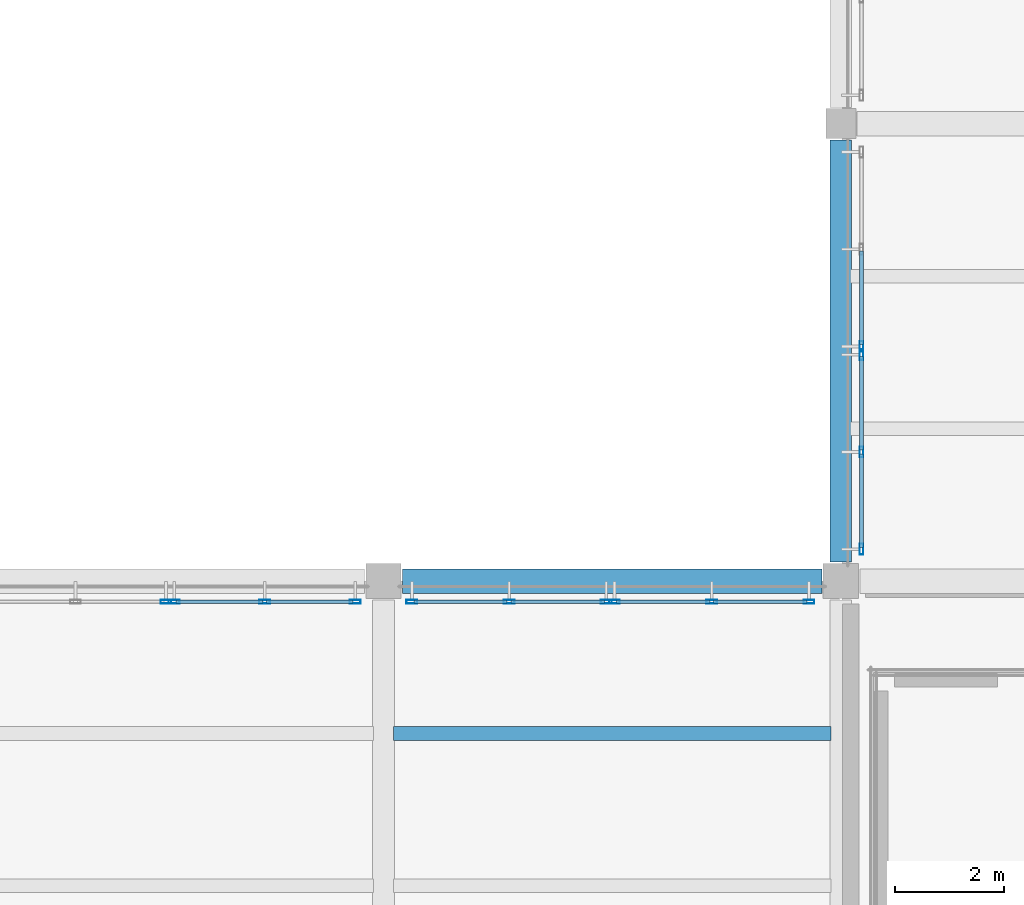
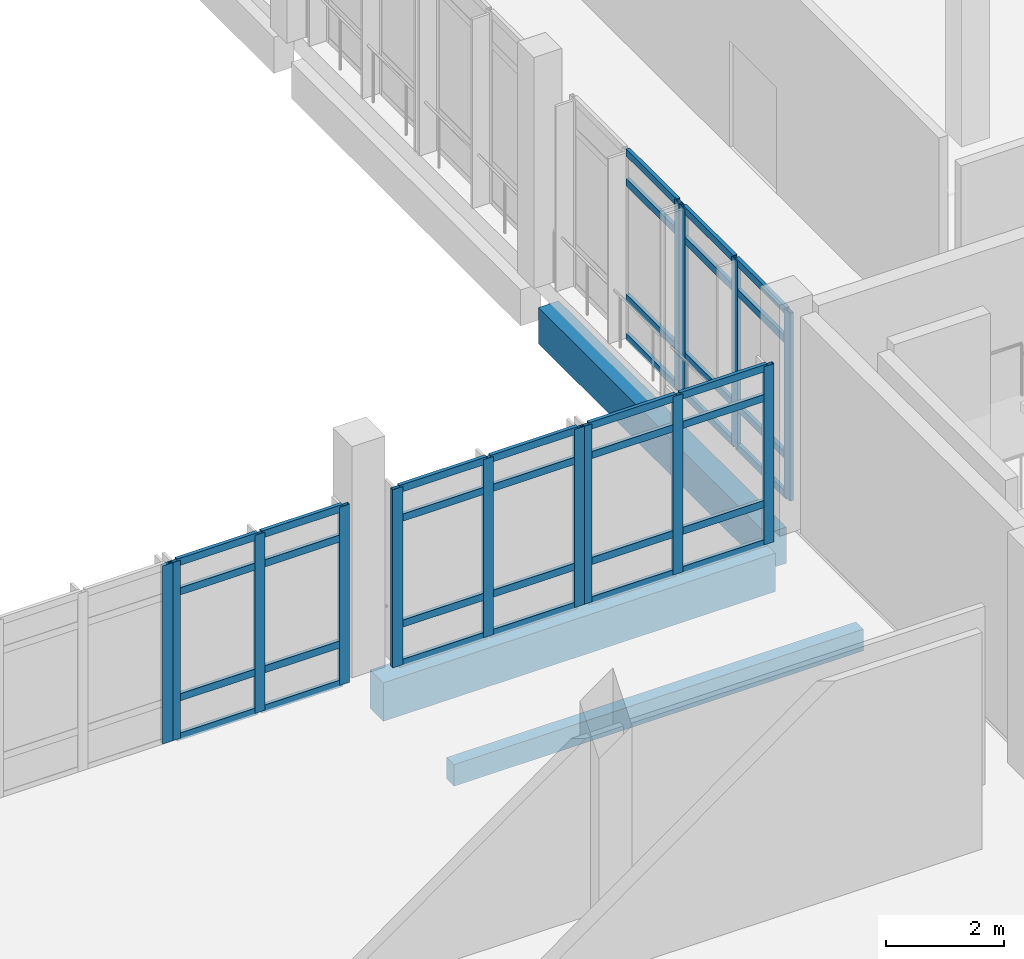
# One storey, part 10 of 63: 50 members, 3 beams, 6 elements without a shape of their own.
"""IFC4 building model written with IfcOpenShell, lengths in metres."""

from ifc_helpers import new_model, si_unit, derived_unit, direction, frame, origin, origin_2d, place, context, subcontext, project, spatial, rectangle, hollow_rectangle, extrude, material, layer, layer_set, material_profile, profile_set, type_object, element, aggregate, save


model = new_model("IFC4")

# Units and contexts
model_context = context("Model", 3, precision=1e-05, world=origin(), true_north=direction((0.0, 1.0)))
body_context = subcontext(model_context, "Body", "Model", "MODEL_VIEW")
ifc_project = project(units=[si_unit("LENGTHUNIT", "METRE"), si_unit("AREAUNIT", "SQUARE_METRE"), si_unit("VOLUMEUNIT", "CUBIC_METRE"), si_unit("PLANEANGLEUNIT", "RADIAN"), si_unit("MASSUNIT", "GRAM", prefix="KILO"), derived_unit("THERMALTRANSMITTANCEUNIT", [(si_unit("POWERUNIT", "WATT"), 1), (si_unit("LENGTHUNIT", "METRE"), -2), (si_unit("THERMODYNAMICTEMPERATUREUNIT", "KELVIN"), -1)])], contexts=[model_context])

# Site, building, storey
site_placement = place(None, origin())
site = spatial("IfcSite", under=ifc_project, at=site_placement, CompositionType="ELEMENT")
building_placement = place(site_placement, origin())
building = spatial("IfcBuilding", under=site, at=building_placement, Name="Elbkamm Science Centre", CompositionType="ELEMENT")
storey_placement = place(building_placement, frame((0.0, 0.0, 5.10009765625)))
storey = spatial("IfcBuildingStorey", under=building, at=storey_placement, Name="L01", CompositionType="ELEMENT", Elevation=5.10009765625)

# Beams
ifc_material_1 = material(Name="Concrete C40/50", Category="concrete")
ifc_material_profile_1 = material_profile(ifc_material_1, rectangle(XDim=0.39990234375, YDim=0.75, at=origin_2d()), Name="RC 400x750")
ifc_profile_set_1 = profile_set([ifc_material_profile_1], Name="Concrete C40/50")
beam_type_1 = type_object("IfcBeamType", Name="BM-RC-400x750", PredefinedType="BEAM", material=ifc_profile_set_1)
beam_1_placement = place(storey_placement, frame((126.0, 59.14990234375, -0.775146484375), z_axis=(0.0, 1.0, 0.0), x_axis=(-1.0, 0.0, 0.0)))
element("IfcBeam", 1, at=beam_1_placement, inside=storey, type_object=beam_type_1, Name="L01 Primary Y-Girder 045", PredefinedType="BEAM", context=body_context, shape_type="SweptSolid", body=[
    extrude(rectangle(XDim=0.39990234375, YDim=0.75, at=origin_2d()), origin(), (0.0, 0.0, 1.0), 7.75),
])
ifc_material_profile_2 = material_profile(ifc_material_1, rectangle(XDim=0.449951171875, YDim=0.800048828125, at=origin_2d()), Name="RC 450x800")
ifc_profile_set_2 = profile_set([ifc_material_profile_2], Name="Concrete C40/50")
beam_type_2 = type_object("IfcBeamType", Name="BM-RC-450x800", PredefinedType="BEAM", material=ifc_profile_set_2)
beam_2_placement = place(storey_placement, frame((117.949951171875, 58.800048828125, -0.800048828125), z_axis=(1.0, 0.0, 0.0), x_axis=(0.0, 1.0, 0.0)))
element("IfcBeam", 2, at=beam_2_placement, inside=storey, type_object=beam_type_2, Name="L01 Primary X-Girder 063", PredefinedType="BEAM", context=body_context, shape_type="SweptSolid", body=[
    extrude(rectangle(XDim=0.449951171875, YDim=0.800048828125, at=origin_2d()), origin(), (0.0, 0.0, 1.0), 7.699951171875),
])

# Curtain wall, member
ifc_material_2 = material(Name="Powder-coated aluminium and triple low-E glazing", Category="aluminium")
ifc_layer_1 = layer(ifc_material_2, 0.159912109375)
ifc_layer_set_1 = layer_set([ifc_layer_1], Name="Powder-coated aluminium and triple low-E glazing")
curtain_wall_type_1 = type_object("IfcCurtainWallType", Name="CW-UNIT-3400x3700", PredefinedType="USERDEFINED", material=ifc_layer_set_1)
curtain_wall_1_placement = place(storey_placement, origin())
curtain_wall_1 = element("IfcCurtainWall", 3, at=curtain_wall_1_placement, inside=storey, type_object=curtain_wall_type_1, Name="L01 Unitised Curtain Wall 151", ObjectType="UNITISED CURTAIN WALL", PredefinedType="USERDEFINED")
ifc_material_3 = material(Name="Powder-coated aluminium EN AW-6060", Category="aluminium")
ifc_material_profile_3 = material_profile(ifc_material_3, hollow_rectangle(XDim=0.070068359375, YDim=0.199951171875, WallThickness=0.00439453125, at=origin_2d()), Name="ALU M70x200")
ifc_profile_set_3 = profile_set([ifc_material_profile_3], Name="Powder-coated aluminium EN AW-6060")
member_type_1 = type_object("IfcMemberType", Name="CW-MUL-70x200", PredefinedType="MULLION", material=ifc_profile_set_3)
member_1_placement = place(storey_placement, frame((113.605224609375, 58.419921875, 0.0), z_axis=(0.0, 0.0, 1.0), x_axis=(0.0, 1.0, 0.0)))
member_1 = element("IfcMember", 4, at=member_1_placement, type_object=member_type_1, Name="CW-072 mullion 3", PredefinedType="MULLION", context=body_context, shape_type="SweptSolid", body=[
    extrude(hollow_rectangle(XDim=0.070068359375, YDim=0.199951171875, WallThickness=0.00439453125, at=origin_2d()), origin(), (0.0, 0.0, 1.0), 3.699951171875),
])
aggregate(curtain_wall_1, [member_1])

# Curtain wall, members
curtain_wall_2_placement = place(storey_placement, origin())
curtain_wall_2 = element("IfcCurtainWall", 5, at=curtain_wall_2_placement, inside=storey, type_object=curtain_wall_type_1, Name="L01 Unitised Curtain Wall 152", ObjectType="UNITISED CURTAIN WALL", PredefinedType="USERDEFINED")
member_2_placement = place(storey_placement, frame((113.75537109375, 58.419921875, 0.0), z_axis=(0.0, 0.0, 1.0), x_axis=(0.0, 1.0, 0.0)))
member_2 = element("IfcMember", 6, at=member_2_placement, type_object=member_type_1, Name="CW-072 mullion 1", PredefinedType="MULLION", context=body_context, shape_type="SweptSolid", body=[
    extrude(hollow_rectangle(XDim=0.070068359375, YDim=0.199951171875, WallThickness=0.00439453125, at=origin_2d()), origin(), (0.0, 0.0, 1.0), 3.699951171875),
])
member_3_placement = place(storey_placement, frame((115.4169921875, 58.419921875, 0.0), z_axis=(0.0, 0.0, 1.0), x_axis=(0.0, 1.0, 0.0)))
member_3 = element("IfcMember", 7, at=member_3_placement, type_object=member_type_1, Name="CW-072 mullion 2", PredefinedType="MULLION", context=body_context, shape_type="SweptSolid", body=[
    extrude(hollow_rectangle(XDim=0.070068359375, YDim=0.199951171875, WallThickness=0.00439453125, at=origin_2d()), origin(), (0.0, 0.0, 1.0), 3.699951171875),
])
member_4_placement = place(storey_placement, frame((117.07861328125, 58.419921875, 0.0), z_axis=(0.0, 0.0, 1.0), x_axis=(0.0, 1.0, 0.0)))
member_4 = element("IfcMember", 8, at=member_4_placement, type_object=member_type_1, Name="CW-072 mullion 3", PredefinedType="MULLION", context=body_context, shape_type="SweptSolid", body=[
    extrude(hollow_rectangle(XDim=0.070068359375, YDim=0.199951171875, WallThickness=0.00439453125, at=origin_2d()), origin(), (0.0, 0.0, 1.0), 3.699951171875),
])

ifc_layer_2 = layer(ifc_material_2, 0.159912109375)
ifc_layer_set_2 = layer_set([ifc_layer_2], Name="Powder-coated aluminium and triple low-E glazing")
curtain_wall_type_2 = type_object("IfcCurtainWallType", Name="CW-UNIT-3640x3700", PredefinedType="USERDEFINED", material=ifc_layer_set_2)
curtain_wall_3_placement = place(storey_placement, origin())
curtain_wall_3 = element("IfcCurtainWall", 9, at=curtain_wall_3_placement, inside=storey, type_object=curtain_wall_type_2, Name="L01 Unitised Curtain Wall 153", ObjectType="UNITISED CURTAIN WALL", PredefinedType="USERDEFINED")
member_5_placement = place(storey_placement, frame((118.121337890625, 58.419921875, 0.0), z_axis=(0.0, 0.0, 1.0), x_axis=(0.0, 1.0, 0.0)))
member_5 = element("IfcMember", 10, at=member_5_placement, type_object=member_type_1, Name="CW-073 mullion 1", PredefinedType="MULLION", context=body_context, shape_type="SweptSolid", body=[
    extrude(hollow_rectangle(XDim=0.070068359375, YDim=0.199951171875, WallThickness=0.00439453125, at=origin_2d()), origin(), (0.0, 0.0, 1.0), 3.699951171875),
])
member_6_placement = place(storey_placement, frame((119.9072265625, 58.419921875, 0.0), z_axis=(0.0, 0.0, 1.0), x_axis=(0.0, 1.0, 0.0)))
member_6 = element("IfcMember", 11, at=member_6_placement, type_object=member_type_1, Name="CW-073 mullion 2", PredefinedType="MULLION", context=body_context, shape_type="SweptSolid", body=[
    extrude(hollow_rectangle(XDim=0.070068359375, YDim=0.199951171875, WallThickness=0.00439453125, at=origin_2d()), origin(), (0.0, 0.0, 1.0), 3.699951171875),
])
member_7_placement = place(storey_placement, frame((121.693115234375, 58.419921875, 0.0), z_axis=(0.0, 0.0, 1.0), x_axis=(0.0, 1.0, 0.0)))
member_7 = element("IfcMember", 12, at=member_7_placement, type_object=member_type_1, Name="CW-073 mullion 3", PredefinedType="MULLION", context=body_context, shape_type="SweptSolid", body=[
    extrude(hollow_rectangle(XDim=0.070068359375, YDim=0.199951171875, WallThickness=0.00439453125, at=origin_2d()), origin(), (0.0, 0.0, 1.0), 3.699951171875),
])

curtain_wall_4_placement = place(storey_placement, origin())
curtain_wall_4 = element("IfcCurtainWall", 13, at=curtain_wall_4_placement, inside=storey, type_object=curtain_wall_type_2, Name="L01 Unitised Curtain Wall 154", ObjectType="UNITISED CURTAIN WALL", PredefinedType="USERDEFINED")
member_8_placement = place(storey_placement, frame((121.843017578125, 58.419921875, 0.0), z_axis=(0.0, 0.0, 1.0), x_axis=(0.0, 1.0, 0.0)))
member_8 = element("IfcMember", 14, at=member_8_placement, type_object=member_type_1, Name="CW-073 mullion 1", PredefinedType="MULLION", context=body_context, shape_type="SweptSolid", body=[
    extrude(hollow_rectangle(XDim=0.070068359375, YDim=0.199951171875, WallThickness=0.00439453125, at=origin_2d()), origin(), (0.0, 0.0, 1.0), 3.699951171875),
])
member_9_placement = place(storey_placement, frame((123.629150390625, 58.419921875, 0.0), z_axis=(0.0, 0.0, 1.0), x_axis=(0.0, 1.0, 0.0)))
member_9 = element("IfcMember", 15, at=member_9_placement, type_object=member_type_1, Name="CW-073 mullion 2", PredefinedType="MULLION", context=body_context, shape_type="SweptSolid", body=[
    extrude(hollow_rectangle(XDim=0.070068359375, YDim=0.199951171875, WallThickness=0.00439453125, at=origin_2d()), origin(), (0.0, 0.0, 1.0), 3.699951171875),
])
member_10_placement = place(storey_placement, frame((125.4150390625, 58.419921875, 0.0), z_axis=(0.0, 0.0, 1.0), x_axis=(0.0, 1.0, 0.0)))
member_10 = element("IfcMember", 16, at=member_10_placement, type_object=member_type_1, Name="CW-073 mullion 3", PredefinedType="MULLION", context=body_context, shape_type="SweptSolid", body=[
    extrude(hollow_rectangle(XDim=0.070068359375, YDim=0.199951171875, WallThickness=0.00439453125, at=origin_2d()), origin(), (0.0, 0.0, 1.0), 3.699951171875),
])

ifc_layer_3 = layer(ifc_material_2, 0.159912109375)
ifc_layer_set_3 = layer_set([ifc_layer_3], Name="Powder-coated aluminium and triple low-E glazing")
curtain_wall_type_3 = type_object("IfcCurtainWallType", Name="CW-UNIT-3640x3900", PredefinedType="USERDEFINED", material=ifc_layer_set_3)
curtain_wall_5_placement = place(storey_placement, origin())
curtain_wall_5 = element("IfcCurtainWall", 17, at=curtain_wall_5_placement, inside=storey, type_object=curtain_wall_type_3, Name="L01 Unitised Curtain Wall 155", ObjectType="UNITISED CURTAIN WALL", PredefinedType="USERDEFINED")
member_11_placement = place(storey_placement, frame((126.3798828125, 59.385009765625, 0.0), z_axis=(0.0, 0.0, 1.0), x_axis=(-1.0, 0.0, 0.0)))
member_11 = element("IfcMember", 18, at=member_11_placement, type_object=member_type_1, Name="CW-065 mullion 1", PredefinedType="MULLION", context=body_context, shape_type="SweptSolid", body=[
    extrude(hollow_rectangle(XDim=0.070068359375, YDim=0.199951171875, WallThickness=0.00439453125, at=origin_2d()), origin(), (0.0, 0.0, 1.0), 3.89990234375),
])
member_12_placement = place(storey_placement, frame((126.3798828125, 61.1708984375, 0.0), z_axis=(0.0, 0.0, 1.0), x_axis=(-1.0, 0.0, 0.0)))
member_12 = element("IfcMember", 19, at=member_12_placement, type_object=member_type_1, Name="CW-065 mullion 2", PredefinedType="MULLION", context=body_context, shape_type="SweptSolid", body=[
    extrude(hollow_rectangle(XDim=0.070068359375, YDim=0.199951171875, WallThickness=0.00439453125, at=origin_2d()), origin(), (0.0, 0.0, 1.0), 3.89990234375),
])
member_13_placement = place(storey_placement, frame((126.3798828125, 62.956787109375, 0.0), z_axis=(0.0, 0.0, 1.0), x_axis=(-1.0, 0.0, 0.0)))
member_13 = element("IfcMember", 20, at=member_13_placement, type_object=member_type_1, Name="CW-065 mullion 3", PredefinedType="MULLION", context=body_context, shape_type="SweptSolid", body=[
    extrude(hollow_rectangle(XDim=0.070068359375, YDim=0.199951171875, WallThickness=0.00439453125, at=origin_2d()), origin(), (0.0, 0.0, 1.0), 3.89990234375),
])

# Curtain wall, member
curtain_wall_6_placement = place(storey_placement, origin())
curtain_wall_6 = element("IfcCurtainWall", 21, at=curtain_wall_6_placement, inside=storey, type_object=curtain_wall_type_3, Name="L01 Unitised Curtain Wall 156", ObjectType="UNITISED CURTAIN WALL", PredefinedType="USERDEFINED")
member_14_placement = place(storey_placement, frame((126.3798828125, 63.10693359375, 0.0), z_axis=(0.0, 0.0, 1.0), x_axis=(-1.0, 0.0, 0.0)))
member_14 = element("IfcMember", 22, at=member_14_placement, type_object=member_type_1, Name="CW-065 mullion 1", PredefinedType="MULLION", context=body_context, shape_type="SweptSolid", body=[
    extrude(hollow_rectangle(XDim=0.070068359375, YDim=0.199951171875, WallThickness=0.00439453125, at=origin_2d()), origin(), (0.0, 0.0, 1.0), 3.89990234375),
])

# Member
ifc_material_profile_4 = material_profile(ifc_material_3, hollow_rectangle(XDim=0.070068359375, YDim=0.14990234375, WallThickness=0.00390625, at=origin_2d()), Name="ALU T70x150")
ifc_profile_set_4 = profile_set([ifc_material_profile_4], Name="Powder-coated aluminium EN AW-6060")
member_type_2 = type_object("IfcMemberType", Name="CW-TRN-70x150", PredefinedType="USERDEFINED", material=ifc_profile_set_4)
member_15_placement = place(storey_placement, frame((113.790283203125, 58.419921875, 0.034912109375), z_axis=(1.0, 0.0, 0.0), x_axis=(0.0, 1.0, 0.0)))
member_15 = element("IfcMember", 23, at=member_15_placement, type_object=member_type_2, Name="CW-072 transom 1.1", ObjectType="TRANSOM", PredefinedType="USERDEFINED", context=body_context, shape_type="SweptSolid", body=[
    extrude(hollow_rectangle(XDim=0.070068359375, YDim=0.14990234375, WallThickness=0.00390625, at=origin_2d()), origin(), (0.0, 0.0, 1.0), 1.591796875),
])

member_16_placement = place(storey_placement, frame((113.790283203125, 58.419921875, 0.849853515625), z_axis=(1.0, 0.0, 0.0), x_axis=(0.0, 1.0, 0.0)))
member_16 = element("IfcMember", 24, at=member_16_placement, type_object=member_type_2, Name="CW-072 transom 1.2", ObjectType="TRANSOM", PredefinedType="USERDEFINED", context=body_context, shape_type="SweptSolid", body=[
    extrude(hollow_rectangle(XDim=0.070068359375, YDim=0.14990234375, WallThickness=0.00390625, at=origin_2d()), origin(), (0.0, 0.0, 1.0), 1.591796875),
])

member_17_placement = place(storey_placement, frame((113.790283203125, 58.419921875, 3.0498046875), z_axis=(1.0, 0.0, 0.0), x_axis=(0.0, 1.0, 0.0)))
member_17 = element("IfcMember", 25, at=member_17_placement, type_object=member_type_2, Name="CW-072 transom 1.3", ObjectType="TRANSOM", PredefinedType="USERDEFINED", context=body_context, shape_type="SweptSolid", body=[
    extrude(hollow_rectangle(XDim=0.070068359375, YDim=0.14990234375, WallThickness=0.00390625, at=origin_2d()), origin(), (0.0, 0.0, 1.0), 1.591796875),
])

member_18_placement = place(storey_placement, frame((113.790283203125, 58.419921875, 3.664794921875), z_axis=(1.0, 0.0, 0.0), x_axis=(0.0, 1.0, 0.0)))
member_18 = element("IfcMember", 26, at=member_18_placement, type_object=member_type_2, Name="CW-072 transom 1.4", ObjectType="TRANSOM", PredefinedType="USERDEFINED", context=body_context, shape_type="SweptSolid", body=[
    extrude(hollow_rectangle(XDim=0.070068359375, YDim=0.14990234375, WallThickness=0.00390625, at=origin_2d()), origin(), (0.0, 0.0, 1.0), 1.591796875),
])

member_19_placement = place(storey_placement, frame((115.4521484375, 58.419921875, 0.034912109375), z_axis=(1.0, 0.0, 0.0), x_axis=(0.0, 1.0, 0.0)))
member_19 = element("IfcMember", 27, at=member_19_placement, type_object=member_type_2, Name="CW-072 transom 2.1", ObjectType="TRANSOM", PredefinedType="USERDEFINED", context=body_context, shape_type="SweptSolid", body=[
    extrude(hollow_rectangle(XDim=0.070068359375, YDim=0.14990234375, WallThickness=0.00390625, at=origin_2d()), origin(), (0.0, 0.0, 1.0), 1.591552734375),
])

member_20_placement = place(storey_placement, frame((115.4521484375, 58.419921875, 0.849853515625), z_axis=(1.0, 0.0, 0.0), x_axis=(0.0, 1.0, 0.0)))
member_20 = element("IfcMember", 28, at=member_20_placement, type_object=member_type_2, Name="CW-072 transom 2.2", ObjectType="TRANSOM", PredefinedType="USERDEFINED", context=body_context, shape_type="SweptSolid", body=[
    extrude(hollow_rectangle(XDim=0.070068359375, YDim=0.14990234375, WallThickness=0.00390625, at=origin_2d()), origin(), (0.0, 0.0, 1.0), 1.591552734375),
])

member_21_placement = place(storey_placement, frame((115.4521484375, 58.419921875, 3.0498046875), z_axis=(1.0, 0.0, 0.0), x_axis=(0.0, 1.0, 0.0)))
member_21 = element("IfcMember", 29, at=member_21_placement, type_object=member_type_2, Name="CW-072 transom 2.3", ObjectType="TRANSOM", PredefinedType="USERDEFINED", context=body_context, shape_type="SweptSolid", body=[
    extrude(hollow_rectangle(XDim=0.070068359375, YDim=0.14990234375, WallThickness=0.00390625, at=origin_2d()), origin(), (0.0, 0.0, 1.0), 1.591552734375),
])

member_22_placement = place(storey_placement, frame((115.4521484375, 58.419921875, 3.664794921875), z_axis=(1.0, 0.0, 0.0), x_axis=(0.0, 1.0, 0.0)))
member_22 = element("IfcMember", 30, at=member_22_placement, type_object=member_type_2, Name="CW-072 transom 2.4", ObjectType="TRANSOM", PredefinedType="USERDEFINED", context=body_context, shape_type="SweptSolid", body=[
    extrude(hollow_rectangle(XDim=0.070068359375, YDim=0.14990234375, WallThickness=0.00390625, at=origin_2d()), origin(), (0.0, 0.0, 1.0), 1.591552734375),
])

aggregate(curtain_wall_2, [member_2, member_3, member_4, member_15, member_16, member_17, member_18, member_19, member_20, member_21, member_22])

member_23_placement = place(storey_placement, frame((118.15625, 58.419921875, 0.034912109375), z_axis=(1.0, 0.0, 0.0), x_axis=(0.0, 1.0, 0.0)))
member_23 = element("IfcMember", 31, at=member_23_placement, type_object=member_type_2, Name="CW-073 transom 1.1", ObjectType="TRANSOM", PredefinedType="USERDEFINED", context=body_context, shape_type="SweptSolid", body=[
    extrude(hollow_rectangle(XDim=0.070068359375, YDim=0.14990234375, WallThickness=0.00390625, at=origin_2d()), origin(), (0.0, 0.0, 1.0), 1.716064453125),
])

member_24_placement = place(storey_placement, frame((118.15625, 58.419921875, 0.849853515625), z_axis=(1.0, 0.0, 0.0), x_axis=(0.0, 1.0, 0.0)))
member_24 = element("IfcMember", 32, at=member_24_placement, type_object=member_type_2, Name="CW-073 transom 1.2", ObjectType="TRANSOM", PredefinedType="USERDEFINED", context=body_context, shape_type="SweptSolid", body=[
    extrude(hollow_rectangle(XDim=0.070068359375, YDim=0.14990234375, WallThickness=0.00390625, at=origin_2d()), origin(), (0.0, 0.0, 1.0), 1.716064453125),
])

member_25_placement = place(storey_placement, frame((118.15625, 58.419921875, 3.0498046875), z_axis=(1.0, 0.0, 0.0), x_axis=(0.0, 1.0, 0.0)))
member_25 = element("IfcMember", 33, at=member_25_placement, type_object=member_type_2, Name="CW-073 transom 1.3", ObjectType="TRANSOM", PredefinedType="USERDEFINED", context=body_context, shape_type="SweptSolid", body=[
    extrude(hollow_rectangle(XDim=0.070068359375, YDim=0.14990234375, WallThickness=0.00390625, at=origin_2d()), origin(), (0.0, 0.0, 1.0), 1.716064453125),
])

member_26_placement = place(storey_placement, frame((118.15625, 58.419921875, 3.664794921875), z_axis=(1.0, 0.0, 0.0), x_axis=(0.0, 1.0, 0.0)))
member_26 = element("IfcMember", 34, at=member_26_placement, type_object=member_type_2, Name="CW-073 transom 1.4", ObjectType="TRANSOM", PredefinedType="USERDEFINED", context=body_context, shape_type="SweptSolid", body=[
    extrude(hollow_rectangle(XDim=0.070068359375, YDim=0.14990234375, WallThickness=0.00390625, at=origin_2d()), origin(), (0.0, 0.0, 1.0), 1.716064453125),
])

member_27_placement = place(storey_placement, frame((119.942138671875, 58.419921875, 0.034912109375), z_axis=(1.0, 0.0, 0.0), x_axis=(0.0, 1.0, 0.0)))
member_27 = element("IfcMember", 35, at=member_27_placement, type_object=member_type_2, Name="CW-073 transom 2.1", ObjectType="TRANSOM", PredefinedType="USERDEFINED", context=body_context, shape_type="SweptSolid", body=[
    extrude(hollow_rectangle(XDim=0.070068359375, YDim=0.14990234375, WallThickness=0.00390625, at=origin_2d()), origin(), (0.0, 0.0, 1.0), 1.716064453125),
])

member_28_placement = place(storey_placement, frame((119.942138671875, 58.419921875, 0.849853515625), z_axis=(1.0, 0.0, 0.0), x_axis=(0.0, 1.0, 0.0)))
member_28 = element("IfcMember", 36, at=member_28_placement, type_object=member_type_2, Name="CW-073 transom 2.2", ObjectType="TRANSOM", PredefinedType="USERDEFINED", context=body_context, shape_type="SweptSolid", body=[
    extrude(hollow_rectangle(XDim=0.070068359375, YDim=0.14990234375, WallThickness=0.00390625, at=origin_2d()), origin(), (0.0, 0.0, 1.0), 1.716064453125),
])

member_29_placement = place(storey_placement, frame((119.942138671875, 58.419921875, 3.0498046875), z_axis=(1.0, 0.0, 0.0), x_axis=(0.0, 1.0, 0.0)))
member_29 = element("IfcMember", 37, at=member_29_placement, type_object=member_type_2, Name="CW-073 transom 2.3", ObjectType="TRANSOM", PredefinedType="USERDEFINED", context=body_context, shape_type="SweptSolid", body=[
    extrude(hollow_rectangle(XDim=0.070068359375, YDim=0.14990234375, WallThickness=0.00390625, at=origin_2d()), origin(), (0.0, 0.0, 1.0), 1.716064453125),
])

member_30_placement = place(storey_placement, frame((119.942138671875, 58.419921875, 3.664794921875), z_axis=(1.0, 0.0, 0.0), x_axis=(0.0, 1.0, 0.0)))
member_30 = element("IfcMember", 38, at=member_30_placement, type_object=member_type_2, Name="CW-073 transom 2.4", ObjectType="TRANSOM", PredefinedType="USERDEFINED", context=body_context, shape_type="SweptSolid", body=[
    extrude(hollow_rectangle(XDim=0.070068359375, YDim=0.14990234375, WallThickness=0.00390625, at=origin_2d()), origin(), (0.0, 0.0, 1.0), 1.716064453125),
])

aggregate(curtain_wall_3, [member_5, member_6, member_7, member_23, member_24, member_25, member_26, member_27, member_28, member_29, member_30])

member_31_placement = place(storey_placement, frame((121.878173828125, 58.419921875, 0.034912109375), z_axis=(1.0, 0.0, 0.0), x_axis=(0.0, 1.0, 0.0)))
member_31 = element("IfcMember", 39, at=member_31_placement, type_object=member_type_2, Name="CW-073 transom 1.1", ObjectType="TRANSOM", PredefinedType="USERDEFINED", context=body_context, shape_type="SweptSolid", body=[
    extrude(hollow_rectangle(XDim=0.070068359375, YDim=0.14990234375, WallThickness=0.00390625, at=origin_2d()), origin(), (0.0, 0.0, 1.0), 1.7158203125),
])

member_32_placement = place(storey_placement, frame((121.878173828125, 58.419921875, 0.849853515625), z_axis=(1.0, 0.0, 0.0), x_axis=(0.0, 1.0, 0.0)))
member_32 = element("IfcMember", 40, at=member_32_placement, type_object=member_type_2, Name="CW-073 transom 1.2", ObjectType="TRANSOM", PredefinedType="USERDEFINED", context=body_context, shape_type="SweptSolid", body=[
    extrude(hollow_rectangle(XDim=0.070068359375, YDim=0.14990234375, WallThickness=0.00390625, at=origin_2d()), origin(), (0.0, 0.0, 1.0), 1.7158203125),
])

member_33_placement = place(storey_placement, frame((121.878173828125, 58.419921875, 3.0498046875), z_axis=(1.0, 0.0, 0.0), x_axis=(0.0, 1.0, 0.0)))
member_33 = element("IfcMember", 41, at=member_33_placement, type_object=member_type_2, Name="CW-073 transom 1.3", ObjectType="TRANSOM", PredefinedType="USERDEFINED", context=body_context, shape_type="SweptSolid", body=[
    extrude(hollow_rectangle(XDim=0.070068359375, YDim=0.14990234375, WallThickness=0.00390625, at=origin_2d()), origin(), (0.0, 0.0, 1.0), 1.7158203125),
])

member_34_placement = place(storey_placement, frame((121.878173828125, 58.419921875, 3.664794921875), z_axis=(1.0, 0.0, 0.0), x_axis=(0.0, 1.0, 0.0)))
member_34 = element("IfcMember", 42, at=member_34_placement, type_object=member_type_2, Name="CW-073 transom 1.4", ObjectType="TRANSOM", PredefinedType="USERDEFINED", context=body_context, shape_type="SweptSolid", body=[
    extrude(hollow_rectangle(XDim=0.070068359375, YDim=0.14990234375, WallThickness=0.00390625, at=origin_2d()), origin(), (0.0, 0.0, 1.0), 1.7158203125),
])

member_35_placement = place(storey_placement, frame((123.6640625, 58.419921875, 0.034912109375), z_axis=(1.0, 0.0, 0.0), x_axis=(0.0, 1.0, 0.0)))
member_35 = element("IfcMember", 43, at=member_35_placement, type_object=member_type_2, Name="CW-073 transom 2.1", ObjectType="TRANSOM", PredefinedType="USERDEFINED", context=body_context, shape_type="SweptSolid", body=[
    extrude(hollow_rectangle(XDim=0.070068359375, YDim=0.14990234375, WallThickness=0.00390625, at=origin_2d()), origin(), (0.0, 0.0, 1.0), 1.7158203125),
])

member_36_placement = place(storey_placement, frame((123.6640625, 58.419921875, 0.849853515625), z_axis=(1.0, 0.0, 0.0), x_axis=(0.0, 1.0, 0.0)))
member_36 = element("IfcMember", 44, at=member_36_placement, type_object=member_type_2, Name="CW-073 transom 2.2", ObjectType="TRANSOM", PredefinedType="USERDEFINED", context=body_context, shape_type="SweptSolid", body=[
    extrude(hollow_rectangle(XDim=0.070068359375, YDim=0.14990234375, WallThickness=0.00390625, at=origin_2d()), origin(), (0.0, 0.0, 1.0), 1.7158203125),
])

member_37_placement = place(storey_placement, frame((123.6640625, 58.419921875, 3.0498046875), z_axis=(1.0, 0.0, 0.0), x_axis=(0.0, 1.0, 0.0)))
member_37 = element("IfcMember", 45, at=member_37_placement, type_object=member_type_2, Name="CW-073 transom 2.3", ObjectType="TRANSOM", PredefinedType="USERDEFINED", context=body_context, shape_type="SweptSolid", body=[
    extrude(hollow_rectangle(XDim=0.070068359375, YDim=0.14990234375, WallThickness=0.00390625, at=origin_2d()), origin(), (0.0, 0.0, 1.0), 1.7158203125),
])

member_38_placement = place(storey_placement, frame((123.6640625, 58.419921875, 3.664794921875), z_axis=(1.0, 0.0, 0.0), x_axis=(0.0, 1.0, 0.0)))
member_38 = element("IfcMember", 46, at=member_38_placement, type_object=member_type_2, Name="CW-073 transom 2.4", ObjectType="TRANSOM", PredefinedType="USERDEFINED", context=body_context, shape_type="SweptSolid", body=[
    extrude(hollow_rectangle(XDim=0.070068359375, YDim=0.14990234375, WallThickness=0.00390625, at=origin_2d()), origin(), (0.0, 0.0, 1.0), 1.7158203125),
])

aggregate(curtain_wall_4, [member_8, member_9, member_10, member_31, member_32, member_33, member_34, member_35, member_36, member_37, member_38])

member_39_placement = place(storey_placement, frame((126.3798828125, 59.419921875, 0.034912109375), z_axis=(0.0, 1.0, 0.0), x_axis=(-1.0, 0.0, 0.0)))
member_39 = element("IfcMember", 47, at=member_39_placement, type_object=member_type_2, Name="CW-065 transom 1.1", ObjectType="TRANSOM", PredefinedType="USERDEFINED", context=body_context, shape_type="SweptSolid", body=[
    extrude(hollow_rectangle(XDim=0.070068359375, YDim=0.14990234375, WallThickness=0.00390625, at=origin_2d()), origin(), (0.0, 0.0, 1.0), 1.716064453125),
])

member_40_placement = place(storey_placement, frame((126.3798828125, 59.419921875, 0.849853515625), z_axis=(0.0, 1.0, 0.0), x_axis=(-1.0, 0.0, 0.0)))
member_40 = element("IfcMember", 48, at=member_40_placement, type_object=member_type_2, Name="CW-065 transom 1.2", ObjectType="TRANSOM", PredefinedType="USERDEFINED", context=body_context, shape_type="SweptSolid", body=[
    extrude(hollow_rectangle(XDim=0.070068359375, YDim=0.14990234375, WallThickness=0.00390625, at=origin_2d()), origin(), (0.0, 0.0, 1.0), 1.716064453125),
])

member_41_placement = place(storey_placement, frame((126.3798828125, 59.419921875, 3.25), z_axis=(0.0, 1.0, 0.0), x_axis=(-1.0, 0.0, 0.0)))
member_41 = element("IfcMember", 49, at=member_41_placement, type_object=member_type_2, Name="CW-065 transom 1.3", ObjectType="TRANSOM", PredefinedType="USERDEFINED", context=body_context, shape_type="SweptSolid", body=[
    extrude(hollow_rectangle(XDim=0.070068359375, YDim=0.14990234375, WallThickness=0.00390625, at=origin_2d()), origin(), (0.0, 0.0, 1.0), 1.716064453125),
])

member_42_placement = place(storey_placement, frame((126.3798828125, 59.419921875, 3.864990234375), z_axis=(0.0, 1.0, 0.0), x_axis=(-1.0, 0.0, 0.0)))
member_42 = element("IfcMember", 50, at=member_42_placement, type_object=member_type_2, Name="CW-065 transom 1.4", ObjectType="TRANSOM", PredefinedType="USERDEFINED", context=body_context, shape_type="SweptSolid", body=[
    extrude(hollow_rectangle(XDim=0.070068359375, YDim=0.14990234375, WallThickness=0.00390625, at=origin_2d()), origin(), (0.0, 0.0, 1.0), 1.716064453125),
])

member_43_placement = place(storey_placement, frame((126.3798828125, 61.2060546875, 0.034912109375), z_axis=(0.0, 1.0, 0.0), x_axis=(-1.0, 0.0, 0.0)))
member_43 = element("IfcMember", 51, at=member_43_placement, type_object=member_type_2, Name="CW-065 transom 2.1", ObjectType="TRANSOM", PredefinedType="USERDEFINED", context=body_context, shape_type="SweptSolid", body=[
    extrude(hollow_rectangle(XDim=0.070068359375, YDim=0.14990234375, WallThickness=0.00390625, at=origin_2d()), origin(), (0.0, 0.0, 1.0), 1.7158203125),
])

member_44_placement = place(storey_placement, frame((126.3798828125, 61.2060546875, 0.849853515625), z_axis=(0.0, 1.0, 0.0), x_axis=(-1.0, 0.0, 0.0)))
member_44 = element("IfcMember", 52, at=member_44_placement, type_object=member_type_2, Name="CW-065 transom 2.2", ObjectType="TRANSOM", PredefinedType="USERDEFINED", context=body_context, shape_type="SweptSolid", body=[
    extrude(hollow_rectangle(XDim=0.070068359375, YDim=0.14990234375, WallThickness=0.00390625, at=origin_2d()), origin(), (0.0, 0.0, 1.0), 1.7158203125),
])

member_45_placement = place(storey_placement, frame((126.3798828125, 61.2060546875, 3.25), z_axis=(0.0, 1.0, 0.0), x_axis=(-1.0, 0.0, 0.0)))
member_45 = element("IfcMember", 53, at=member_45_placement, type_object=member_type_2, Name="CW-065 transom 2.3", ObjectType="TRANSOM", PredefinedType="USERDEFINED", context=body_context, shape_type="SweptSolid", body=[
    extrude(hollow_rectangle(XDim=0.070068359375, YDim=0.14990234375, WallThickness=0.00390625, at=origin_2d()), origin(), (0.0, 0.0, 1.0), 1.7158203125),
])

member_46_placement = place(storey_placement, frame((126.3798828125, 61.2060546875, 3.864990234375), z_axis=(0.0, 1.0, 0.0), x_axis=(-1.0, 0.0, 0.0)))
member_46 = element("IfcMember", 54, at=member_46_placement, type_object=member_type_2, Name="CW-065 transom 2.4", ObjectType="TRANSOM", PredefinedType="USERDEFINED", context=body_context, shape_type="SweptSolid", body=[
    extrude(hollow_rectangle(XDim=0.070068359375, YDim=0.14990234375, WallThickness=0.00390625, at=origin_2d()), origin(), (0.0, 0.0, 1.0), 1.7158203125),
])

aggregate(curtain_wall_5, [member_11, member_12, member_13, member_39, member_40, member_41, member_42, member_43, member_44, member_45, member_46])

member_47_placement = place(storey_placement, frame((126.3798828125, 63.141845703125, 0.034912109375), z_axis=(0.0, 1.0, 0.0), x_axis=(-1.0, 0.0, 0.0)))
member_47 = element("IfcMember", 55, at=member_47_placement, type_object=member_type_2, Name="CW-065 transom 1.1", ObjectType="TRANSOM", PredefinedType="USERDEFINED", context=body_context, shape_type="SweptSolid", body=[
    extrude(hollow_rectangle(XDim=0.070068359375, YDim=0.14990234375, WallThickness=0.00390625, at=origin_2d()), origin(), (0.0, 0.0, 1.0), 1.716064453125),
])

member_48_placement = place(storey_placement, frame((126.3798828125, 63.141845703125, 0.849853515625), z_axis=(0.0, 1.0, 0.0), x_axis=(-1.0, 0.0, 0.0)))
member_48 = element("IfcMember", 56, at=member_48_placement, type_object=member_type_2, Name="CW-065 transom 1.2", ObjectType="TRANSOM", PredefinedType="USERDEFINED", context=body_context, shape_type="SweptSolid", body=[
    extrude(hollow_rectangle(XDim=0.070068359375, YDim=0.14990234375, WallThickness=0.00390625, at=origin_2d()), origin(), (0.0, 0.0, 1.0), 1.716064453125),
])

member_49_placement = place(storey_placement, frame((126.3798828125, 63.141845703125, 3.25), z_axis=(0.0, 1.0, 0.0), x_axis=(-1.0, 0.0, 0.0)))
member_49 = element("IfcMember", 57, at=member_49_placement, type_object=member_type_2, Name="CW-065 transom 1.3", ObjectType="TRANSOM", PredefinedType="USERDEFINED", context=body_context, shape_type="SweptSolid", body=[
    extrude(hollow_rectangle(XDim=0.070068359375, YDim=0.14990234375, WallThickness=0.00390625, at=origin_2d()), origin(), (0.0, 0.0, 1.0), 1.716064453125),
])

member_50_placement = place(storey_placement, frame((126.3798828125, 63.141845703125, 3.864990234375), z_axis=(0.0, 1.0, 0.0), x_axis=(-1.0, 0.0, 0.0)))
member_50 = element("IfcMember", 58, at=member_50_placement, type_object=member_type_2, Name="CW-065 transom 1.4", ObjectType="TRANSOM", PredefinedType="USERDEFINED", context=body_context, shape_type="SweptSolid", body=[
    extrude(hollow_rectangle(XDim=0.070068359375, YDim=0.14990234375, WallThickness=0.00390625, at=origin_2d()), origin(), (0.0, 0.0, 1.0), 1.716064453125),
])

aggregate(curtain_wall_6, [member_14, member_47, member_48, member_49, member_50])

# Beam
ifc_material_profile_5 = material_profile(ifc_material_1, rectangle(XDim=0.25, YDim=0.449951171875, at=origin_2d()), Name="RC 250x450")
ifc_profile_set_5 = profile_set([ifc_material_profile_5], Name="Concrete C40/50")
beam_type_3 = type_object("IfcBeamType", Name="JST-RC-250x450", PredefinedType="JOIST", material=ifc_profile_set_5)
beam_3_placement = place(storey_placement, frame((117.780029296875, 56.0, -0.625), z_axis=(1.0, 0.0, 0.0), x_axis=(0.0, 1.0, 0.0)))
element("IfcBeam", 59, at=beam_3_placement, inside=storey, type_object=beam_type_3, Name="L01 Secondary Floor Joist 056", PredefinedType="JOIST", context=body_context, shape_type="SweptSolid", body=[
    extrude(rectangle(XDim=0.25, YDim=0.449951171875, at=origin_2d()), origin(), (0.0, 0.0, 1.0), 8.0400390625),
])

save(model, "model.ifc")
